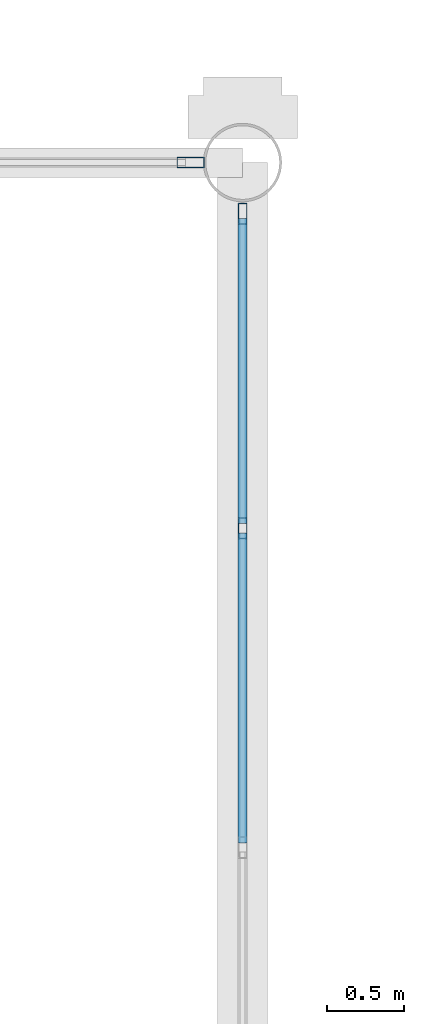
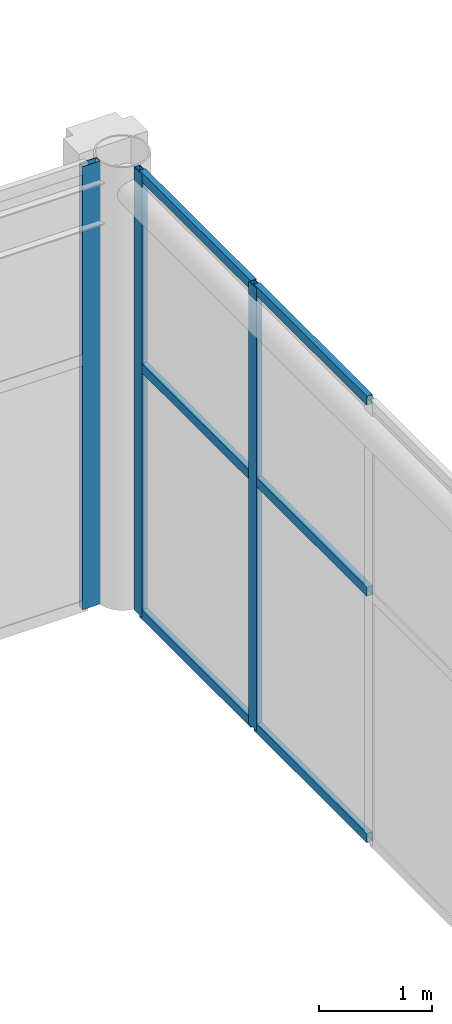
# One storey, part 116 of 167: 9 members, 2 elements without a shape of their own.
"""IFC4 building model written with IfcOpenShell, lengths in metres."""

from ifc_helpers import new_model, si_unit, direction, frame, origin, origin_2d, place, context, subcontext, project, spatial, hollow_rectangle, extrude, material, material_profile, profile_set, type_object, element, aggregate, save


model = new_model("IFC4")

# Units and contexts
model_context = context("Model", 3, precision=1e-05, world=origin(), true_north=direction((0.0, 1.0)))
body_context = subcontext(model_context, "Body", "Model", "MODEL_VIEW")
ifc_project = project(units=[si_unit("LENGTHUNIT", "METRE"), si_unit("AREAUNIT", "SQUARE_METRE"), si_unit("VOLUMEUNIT", "CUBIC_METRE"), si_unit("PLANEANGLEUNIT", "RADIAN"), si_unit("MASSUNIT", "GRAM", prefix="KILO")], contexts=[model_context])

# Site, building, storey
site_placement = place(None, origin())
site = spatial("IfcSite", under=ifc_project, at=site_placement, CompositionType="ELEMENT")
building_placement = place(site_placement, origin())
building = spatial("IfcBuilding", under=site, at=building_placement, Name="Catenary Quay Ferry Terminal", CompositionType="ELEMENT")
storey_placement = place(building_placement, frame((0.0, 0.0, 6.0)))
storey = spatial("IfcBuildingStorey", under=building, at=storey_placement, Name="L01", CompositionType="ELEMENT", Elevation=6.0)

# Curtain wall, members
ifc_material_1 = material(Name="Aluminium and glass", Category="aluminium")
curtain_wall_type_1 = type_object("IfcCurtainWallType", Name="CWG", PredefinedType="NOTDEFINED", material=ifc_material_1)
curtain_wall_1_placement = place(storey_placement, origin())
curtain_wall_1 = element("IfcCurtainWall", 1, at=curtain_wall_1_placement, inside=storey, type_object=curtain_wall_type_1, Name="Gable departure hall curtain wall CW20", PredefinedType="NOTDEFINED")
ifc_material_2 = material(Name="Aluminium", Category="aluminium")
ifc_material_profile_1 = material_profile(ifc_material_2, hollow_rectangle(XDim=0.06005859375, YDim=0.139892578125, WallThickness=0.006103515625, at=origin_2d()), Name="MU2")
ifc_profile_set_1 = profile_set([ifc_material_profile_1], Name="Aluminium")
member_type_1 = type_object("IfcMemberType", Name="MU2", PredefinedType="MULLION", material=ifc_profile_set_1)
member_1_placement = place(storey_placement, frame((92.39990234375, 140.4375, 0.0), z_axis=(0.0, 0.0, 1.0), x_axis=(-1.0, 0.0, 0.0)))
member_1 = element("IfcMember", 2, at=member_1_placement, type_object=member_type_1, Name="CW20 mullion 16", PredefinedType="MULLION", context=body_context, shape_type="SweptSolid", body=[
    extrude(hollow_rectangle(XDim=0.06005859375, YDim=0.139892578125, WallThickness=0.006103515625, at=origin_2d()), origin(), (0.0, 0.0, 1.0), 4.800048828125),
])
member_2_placement = place(storey_placement, frame((92.39990234375, 142.469970703125, 0.0), z_axis=(0.0, 0.0, 1.0), x_axis=(-1.0, 0.0, 0.0)))
member_2 = element("IfcMember", 3, at=member_2_placement, type_object=member_type_1, Name="CW20 mullion 17", PredefinedType="MULLION", context=body_context, shape_type="SweptSolid", body=[
    extrude(hollow_rectangle(XDim=0.06005859375, YDim=0.139892578125, WallThickness=0.006103515625, at=origin_2d()), origin(), (0.0, 0.0, 1.0), 4.800048828125),
])

# Curtain wall, member
ifc_material_3 = material(Name="Aluminium and glass", Category="aluminium")
curtain_wall_type_2 = type_object("IfcCurtainWallType", Name="CWH", PredefinedType="NOTDEFINED", material=ifc_material_3)
curtain_wall_2_placement = place(storey_placement, origin())
curtain_wall_2 = element("IfcCurtainWall", 4, at=curtain_wall_2_placement, inside=storey, type_object=curtain_wall_type_2, Name="Hall curtain wall CW55", PredefinedType="NOTDEFINED")
ifc_material_4 = material(Name="Aluminium", Category="aluminium")
ifc_material_profile_2 = material_profile(ifc_material_4, hollow_rectangle(XDim=0.070068359375, YDim=0.179931640625, WallThickness=0.006103515625, at=origin_2d()), Name="MU3")
ifc_profile_set_2 = profile_set([ifc_material_profile_2], Name="Aluminium")
member_type_2 = type_object("IfcMemberType", Name="MU3", PredefinedType="MULLION", material=ifc_profile_set_2)
member_3_placement = place(storey_placement, frame((92.06494140625, 142.800048828125, 0.0), z_axis=(0.0, 0.0, 1.0), x_axis=(0.0, 1.0, 0.0)))
member_3 = element("IfcMember", 5, at=member_3_placement, type_object=member_type_2, Name="CW55 mullion 4", PredefinedType="MULLION", context=body_context, shape_type="SweptSolid", body=[
    extrude(hollow_rectangle(XDim=0.070068359375, YDim=0.179931640625, WallThickness=0.006103515625, at=origin_2d()), origin(), (0.0, 0.0, 1.0), 4.800048828125),
])
aggregate(curtain_wall_2, [member_3])

# Member
ifc_material_5 = material(Name="Aluminium", Category="aluminium")
ifc_material_profile_3 = material_profile(ifc_material_5, hollow_rectangle(XDim=0.06005859375, YDim=0.10009765625, WallThickness=0.0048828125, at=origin_2d()), Name="TR2")
ifc_profile_set_3 = profile_set([ifc_material_profile_3], Name="Aluminium")
member_type_3 = type_object("IfcMemberType", Name="TR2", PredefinedType="USERDEFINED", material=ifc_profile_set_3)
member_4_placement = place(storey_placement, frame((92.39990234375, 138.405029296875, 0.030029296875), z_axis=(0.0, 1.0, 0.0), x_axis=(-1.0, 0.0, 0.0)))
member_4 = element("IfcMember", 6, at=member_4_placement, type_object=member_type_3, Name="CW20 transom 15.1", ObjectType="TRANSOM", PredefinedType="USERDEFINED", context=body_context, shape_type="SweptSolid", body=[
    extrude(hollow_rectangle(XDim=0.06005859375, YDim=0.10009765625, WallThickness=0.0048828125, at=origin_2d()), origin(), (0.0, 0.0, 1.0), 2.00244140625),
])

member_5_placement = place(storey_placement, frame((92.39990234375, 138.405029296875, 2.699951171875), z_axis=(0.0, 1.0, 0.0), x_axis=(-1.0, 0.0, 0.0)))
member_5 = element("IfcMember", 7, at=member_5_placement, type_object=member_type_3, Name="CW20 transom 15.2", ObjectType="TRANSOM", PredefinedType="USERDEFINED", context=body_context, shape_type="SweptSolid", body=[
    extrude(hollow_rectangle(XDim=0.06005859375, YDim=0.10009765625, WallThickness=0.0048828125, at=origin_2d()), origin(), (0.0, 0.0, 1.0), 2.00244140625),
])

member_6_placement = place(storey_placement, frame((92.39990234375, 138.405029296875, 4.77001953125), z_axis=(0.0, 1.0, 0.0), x_axis=(-1.0, 0.0, 0.0)))
member_6 = element("IfcMember", 8, at=member_6_placement, type_object=member_type_3, Name="CW20 transom 15.3", ObjectType="TRANSOM", PredefinedType="USERDEFINED", context=body_context, shape_type="SweptSolid", body=[
    extrude(hollow_rectangle(XDim=0.06005859375, YDim=0.10009765625, WallThickness=0.0048828125, at=origin_2d()), origin(), (0.0, 0.0, 1.0), 2.00244140625),
])

member_7_placement = place(storey_placement, frame((92.39990234375, 140.467529296875, 0.030029296875), z_axis=(0.0, 1.0, 0.0), x_axis=(-1.0, 0.0, 0.0)))
member_7 = element("IfcMember", 9, at=member_7_placement, type_object=member_type_3, Name="CW20 transom 16.1", ObjectType="TRANSOM", PredefinedType="USERDEFINED", context=body_context, shape_type="SweptSolid", body=[
    extrude(hollow_rectangle(XDim=0.06005859375, YDim=0.10009765625, WallThickness=0.0048828125, at=origin_2d()), origin(), (0.0, 0.0, 1.0), 1.972412109375),
])

member_8_placement = place(storey_placement, frame((92.39990234375, 140.467529296875, 2.699951171875), z_axis=(0.0, 1.0, 0.0), x_axis=(-1.0, 0.0, 0.0)))
member_8 = element("IfcMember", 10, at=member_8_placement, type_object=member_type_3, Name="CW20 transom 16.2", ObjectType="TRANSOM", PredefinedType="USERDEFINED", context=body_context, shape_type="SweptSolid", body=[
    extrude(hollow_rectangle(XDim=0.06005859375, YDim=0.10009765625, WallThickness=0.0048828125, at=origin_2d()), origin(), (0.0, 0.0, 1.0), 1.972412109375),
])

member_9_placement = place(storey_placement, frame((92.39990234375, 140.467529296875, 4.77001953125), z_axis=(0.0, 1.0, 0.0), x_axis=(-1.0, 0.0, 0.0)))
member_9 = element("IfcMember", 11, at=member_9_placement, type_object=member_type_3, Name="CW20 transom 16.3", ObjectType="TRANSOM", PredefinedType="USERDEFINED", context=body_context, shape_type="SweptSolid", body=[
    extrude(hollow_rectangle(XDim=0.06005859375, YDim=0.10009765625, WallThickness=0.0048828125, at=origin_2d()), origin(), (0.0, 0.0, 1.0), 1.972412109375),
])

aggregate(curtain_wall_1, [member_1, member_2, member_4, member_5, member_6, member_7, member_8, member_9])

save(model, "model.ifc")
